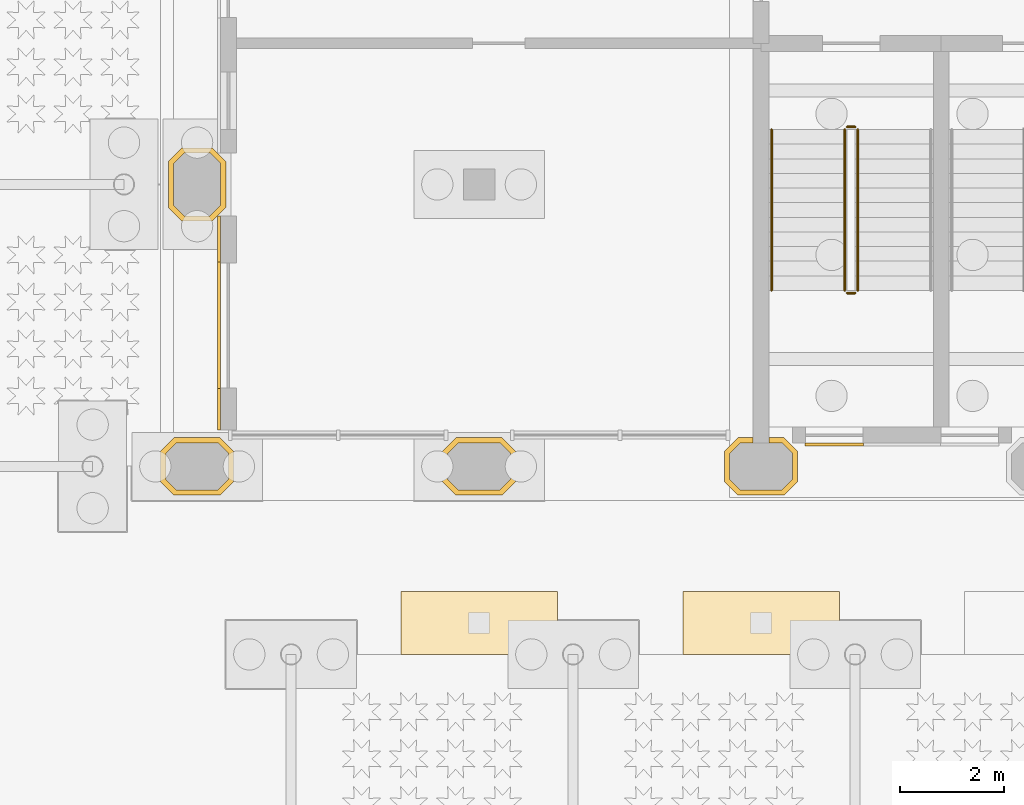
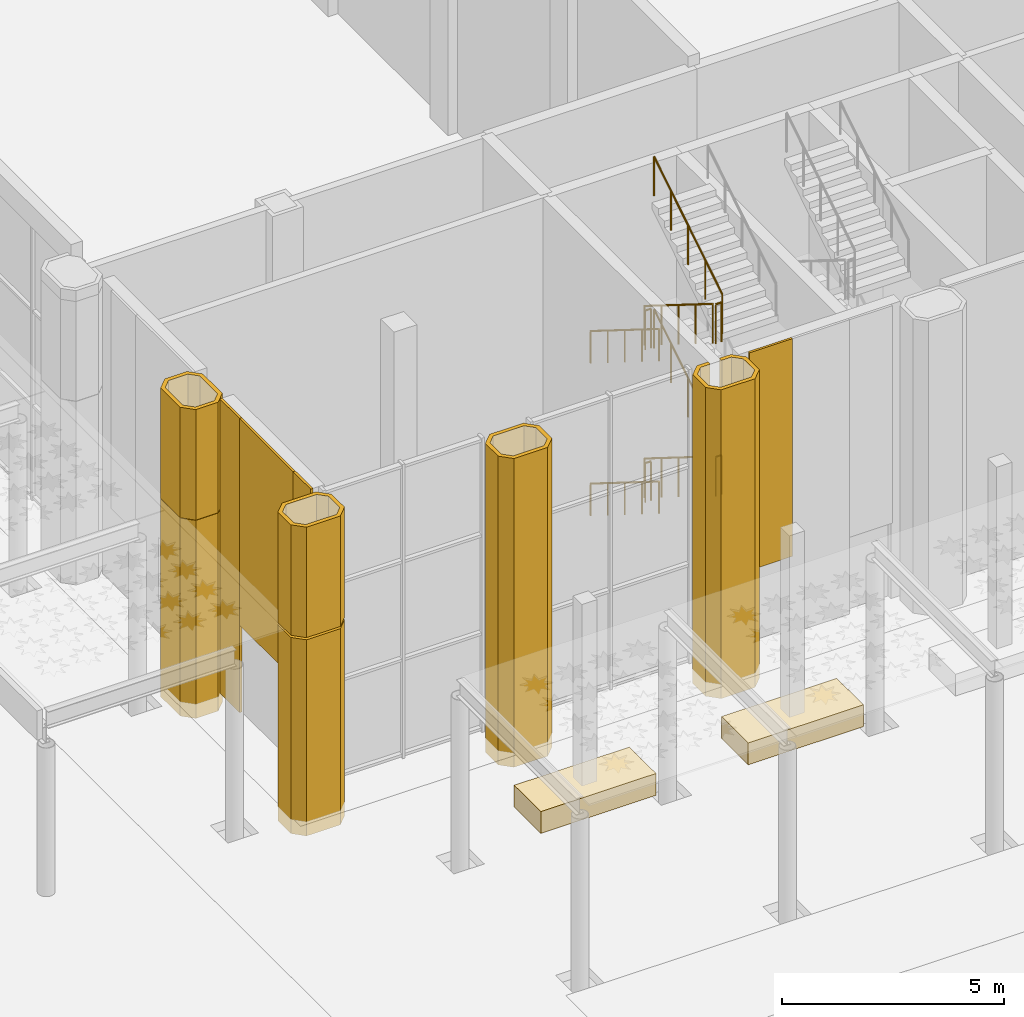
# One storey, part 45 of 54: 12 coverings, 10 railings.
"""IFC4 building model written with IfcOpenShell, lengths in metres."""

from ifc_helpers import new_model, si_unit, direction, frame, frame_2d, origin, origin_2d, place, context, subcontext, project, spatial, polyline, rectangle, circle, outline, extrude, material, layer, layer_set, type_object, element, save


model = new_model("IFC4")

# Units and contexts
model_context = context("Model", 3, precision=1e-05, world=origin(), true_north=direction((0.0, 1.0)))
body_context = subcontext(model_context, "Body", "Model", "MODEL_VIEW")
ifc_project = project(units=[si_unit("LENGTHUNIT", "METRE"), si_unit("AREAUNIT", "SQUARE_METRE"), si_unit("VOLUMEUNIT", "CUBIC_METRE"), si_unit("PLANEANGLEUNIT", "RADIAN"), si_unit("MASSUNIT", "GRAM", prefix="KILO")], contexts=[model_context])

# Site, building, storey
site_placement = place(None, origin())
site = spatial("IfcSite", under=ifc_project, at=site_placement, CompositionType="ELEMENT")
building_placement = place(site_placement, origin())
building = spatial("IfcBuilding", under=site, at=building_placement, Name="Tabaq Tower and Sports Hall", CompositionType="ELEMENT")
storey_placement = place(building_placement, origin())
storey = spatial("IfcBuildingStorey", under=building, at=storey_placement, Name="L00", CompositionType="ELEMENT", Elevation=0.0)

# Coverings
ifc_material_1 = material(Name="Precast concrete C60/75", Category="concrete")
ifc_layer_1 = layer(ifc_material_1, 0.10009765625)
ifc_layer_set_1 = layer_set([ifc_layer_1], Name="Column cladding 100")
covering_type_1 = type_object("IfcCoveringType", Name="Column cladding 100", PredefinedType="CLADDING", material=ifc_layer_set_1)
covering_1_placement = place(storey_placement, frame((0.0, 0.0, -0.39990234375)))
element("IfcCovering", 1, at=covering_1_placement, inside=storey, type_object=covering_type_1, Name="Column cladding L00 HC-13A", PredefinedType="CLADDING", context=body_context, shape_type="SweptSolid", body=[
    extrude(outline(polyline([(64.100341796875, -0.291259765625), (64.100341796875, 0.291259765625), (64.358642578125, 0.5498046875), (65.2412109375, 0.5498046875), (65.499755859375, 0.291259765625), (65.499755859375, -0.291259765625), (65.2412109375, -0.5498046875), (64.358642578125, -0.5498046875), (64.100341796875, -0.291259765625)]), holes=[polyline([(65.2001953125, -0.4501953125), (65.400390625, -0.250244140625), (65.400390625, 0.250244140625), (65.2001953125, 0.4501953125), (64.39990234375, 0.4501953125), (64.19970703125, 0.250244140625), (64.19970703125, -0.250244140625), (64.39990234375, -0.4501953125), (65.2001953125, -0.4501953125)])]), origin(), (0.0, 0.0, 1.0), 5.39990234375),
])
covering_2_placement = place(storey_placement, frame((0.0, 0.0, 5.06005859375)))
element("IfcCovering", 2, at=covering_2_placement, inside=storey, type_object=covering_type_1, Name="Column cladding L00 HC-13A 2", PredefinedType="CLADDING", context=body_context, shape_type="SweptSolid", body=[
    extrude(outline(polyline([(64.100341796875, -0.291259765625), (64.100341796875, 0.291259765625), (64.358642578125, 0.5498046875), (65.2412109375, 0.5498046875), (65.499755859375, 0.291259765625), (65.499755859375, -0.291259765625), (65.2412109375, -0.5498046875), (64.358642578125, -0.5498046875), (64.100341796875, -0.291259765625)]), holes=[polyline([(65.2001953125, -0.4501953125), (65.400390625, -0.250244140625), (65.400390625, 0.250244140625), (65.2001953125, 0.4501953125), (64.39990234375, 0.4501953125), (64.19970703125, 0.250244140625), (64.19970703125, -0.250244140625), (64.39990234375, -0.4501953125), (65.2001953125, -0.4501953125)])]), origin(), (0.0, 0.0, 1.0), 3.0400390625),
])
covering_3_placement = place(storey_placement, frame((0.0, 0.0, -0.39990234375)))
element("IfcCovering", 3, at=covering_3_placement, inside=storey, type_object=covering_type_1, Name="Column cladding L00 HC-13B", PredefinedType="CLADDING", context=body_context, shape_type="SweptSolid", body=[
    extrude(outline(polyline([(65.09130859375, 4.7001953125), (64.5087890625, 4.7001953125), (64.250244140625, 4.958740234375), (64.250244140625, 5.84130859375), (64.5087890625, 6.099609375), (65.09130859375, 6.099609375), (65.349609375, 5.84130859375), (65.349609375, 4.958740234375), (65.09130859375, 4.7001953125)]), holes=[polyline([(65.250244140625, 5.800048828125), (65.050048828125, 6.000244140625), (64.5498046875, 6.000244140625), (64.349609375, 5.800048828125), (64.349609375, 4.999755859375), (64.5498046875, 4.7998046875), (65.050048828125, 4.7998046875), (65.250244140625, 4.999755859375), (65.250244140625, 5.800048828125)])]), origin(), (0.0, 0.0, 1.0), 5.449951171875),
])
covering_4_placement = place(storey_placement, frame((0.0, 0.0, 5.06005859375)))
element("IfcCovering", 4, at=covering_4_placement, inside=storey, type_object=covering_type_1, Name="Column cladding L00 HC-13B 2", PredefinedType="CLADDING", context=body_context, shape_type="SweptSolid", body=[
    extrude(outline(polyline([(65.09130859375, 4.7001953125), (64.5087890625, 4.7001953125), (64.250244140625, 4.958740234375), (64.250244140625, 5.84130859375), (64.5087890625, 6.099609375), (65.09130859375, 6.099609375), (65.349609375, 5.84130859375), (65.349609375, 4.958740234375), (65.09130859375, 4.7001953125)]), holes=[polyline([(65.250244140625, 5.800048828125), (65.050048828125, 6.000244140625), (64.5498046875, 6.000244140625), (64.349609375, 5.800048828125), (64.349609375, 4.999755859375), (64.5498046875, 4.7998046875), (65.050048828125, 4.7998046875), (65.250244140625, 4.999755859375), (65.250244140625, 5.800048828125)])]), origin(), (0.0, 0.0, 1.0), 3.0400390625),
])
covering_5_placement = place(storey_placement, frame((0.0, 0.0, -0.39990234375)))
element("IfcCovering", 5, at=covering_5_placement, inside=storey, type_object=covering_type_1, Name="Column cladding L00 HC-14A", PredefinedType="CLADDING", context=body_context, shape_type="SweptSolid", body=[
    extrude(outline(polyline([(69.500244140625, -0.291259765625), (69.500244140625, 0.291259765625), (69.7587890625, 0.5498046875), (70.641357421875, 0.5498046875), (70.899658203125, 0.291259765625), (70.899658203125, -0.291259765625), (70.641357421875, -0.5498046875), (69.7587890625, -0.5498046875), (69.500244140625, -0.291259765625)]), holes=[polyline([(70.60009765625, -0.4501953125), (70.80029296875, -0.250244140625), (70.80029296875, 0.250244140625), (70.60009765625, 0.4501953125), (69.7998046875, 0.4501953125), (69.599609375, 0.250244140625), (69.599609375, -0.250244140625), (69.7998046875, -0.4501953125), (70.60009765625, -0.4501953125)])]), origin(), (0.0, 0.0, 1.0), 8.5),
])
covering_6_placement = place(storey_placement, frame((0.0, 0.0, -0.39990234375)))
element("IfcCovering", 6, at=covering_6_placement, inside=storey, type_object=covering_type_1, Name="Column cladding L00 HC-15A", PredefinedType="CLADDING", context=body_context, shape_type="SweptSolid", body=[
    extrude(outline(polyline([(74.900390625, 0.291259765625), (75.15869140625, 0.5498046875), (75.44970703125, 0.5498046875), (75.44970703125, 0.4501953125), (75.199951171875, 0.4501953125), (74.999755859375, 0.250244140625), (74.999755859375, -0.250244140625), (75.199951171875, -0.4501953125), (76.000244140625, -0.4501953125), (76.2001953125, -0.250244140625), (76.2001953125, 0.250244140625), (76.000244140625, 0.4501953125), (75.750244140625, 0.4501953125), (75.750244140625, 0.5498046875), (76.041259765625, 0.5498046875), (76.2998046875, 0.291259765625), (76.2998046875, -0.291259765625), (76.041259765625, -0.5498046875), (75.15869140625, -0.5498046875), (74.900390625, -0.291259765625), (74.900390625, 0.291259765625)])), origin(), (0.0, 0.0, 1.0), 8.5),
])

# Railings
ifc_material_2 = material(Name="Stainless steel and glass balustrade", Category="steel")
railing_type_1 = type_object("IfcRailingType", Name="HALL GUARD 1100", PredefinedType="GUARDRAIL", material=ifc_material_2)
railing_1_placement = place(storey_placement, frame((77.199951171875, 6.449951171875, 0.175048828125)))
element("IfcRailing", 7, at=railing_1_placement, inside=storey, type_object=railing_type_1, Name="L00 ST-H1 stair guard 1", PredefinedType="GUARDRAIL", context=body_context, shape_type="SweptSolid", body=[
    extrude(circle(Radius=0.02392578125, at=origin_2d()), frame((0.0, 0.0, 1.076171875), z_axis=(0.0, -0.847979421464, 0.530029150871), x_axis=(1.0, 0.0, 0.0)), (0.0, 0.0, 1.0), 3.632080078125),
    extrude(circle(Radius=0.02099609375, at=origin_2d()), origin(), (0.0, 0.0, 1.0), 1.052001953125),
    extrude(circle(Radius=0.02099609375, at=origin_2d()), frame((0.0, -0.77001953125, 0.481201171875)), (0.0, 0.0, 1.0), 1.052001953125),
    extrude(circle(Radius=0.02099609375, at=origin_2d()), frame((0.0, -1.5400390625, 0.96240234375)), (0.0, 0.0, 1.0), 1.052001953125),
    extrude(circle(Radius=0.02099609375, at=origin_2d()), frame((0.0, -2.309814453125, 1.44384765625)), (0.0, 0.0, 1.0), 1.052001953125),
    extrude(circle(Radius=0.02099609375, at=origin_2d()), frame((0.0, -3.079833984375, 1.925048828125)), (0.0, 0.0, 1.0), 1.052001953125),
])
railing_2_placement = place(storey_placement, frame((77.25, 3.320068359375, 2.10009765625)))
element("IfcRailing", 8, at=railing_2_placement, inside=storey, type_object=railing_type_1, Name="L00 ST-H1 stair guard 2", PredefinedType="GUARDRAIL", context=body_context, shape_type="SweptSolid", body=[
    extrude(circle(Radius=0.02392578125, at=origin_2d()), frame((0.0, 0.0, 1.076171875), z_axis=(1.0, 0.0, 0.0), x_axis=(0.0, 1.0, 0.0)), (0.0, 0.0, 1.0), 0.14990234375),
    extrude(circle(Radius=0.02099609375, at=origin_2d()), origin(), (0.0, 0.0, 1.0), 1.052001953125),
    extrude(circle(Radius=0.02099609375, at=origin_2d()), frame((0.14990234375, 0.0, 0.0)), (0.0, 0.0, 1.0), 1.052001953125),
])
railing_3_placement = place(storey_placement, frame((77.449951171875, 3.3701171875, 2.27490234375)))
element("IfcRailing", 9, at=railing_3_placement, inside=storey, type_object=railing_type_1, Name="L00 ST-H1 stair guard 3", PredefinedType="GUARDRAIL", context=body_context, shape_type="SweptSolid", body=[
    extrude(circle(Radius=0.02392578125, at=origin_2d()), frame((0.0, 0.0, 1.076171875), z_axis=(0.0, 0.847979421464, 0.530029150871), x_axis=(-1.0, 0.0, 0.0)), (0.0, 0.0, 1.0), 3.632080078125),
    extrude(circle(Radius=0.02099609375, at=origin_2d()), origin(), (0.0, 0.0, 1.0), 1.052001953125),
    extrude(circle(Radius=0.02099609375, at=origin_2d()), frame((0.0, 0.77001953125, 0.481201171875)), (0.0, 0.0, 1.0), 1.052001953125),
    extrude(circle(Radius=0.02099609375, at=origin_2d()), frame((0.0, 1.5400390625, 0.96240234375)), (0.0, 0.0, 1.0), 1.052001953125),
    extrude(circle(Radius=0.02099609375, at=origin_2d()), frame((0.0, 2.309814453125, 1.44384765625)), (0.0, 0.0, 1.0), 1.052001953125),
    extrude(circle(Radius=0.02099609375, at=origin_2d()), frame((0.0, 3.079833984375, 1.925048828125)), (0.0, 0.0, 1.0), 1.052001953125),
])
railing_4_placement = place(storey_placement, frame((77.25, 6.5, 4.199951171875)))
element("IfcRailing", 10, at=railing_4_placement, inside=storey, type_object=railing_type_1, Name="L00 ST-H1 stair guard 4", PredefinedType="GUARDRAIL", context=body_context, shape_type="SweptSolid", body=[
    extrude(circle(Radius=0.02392578125, at=origin_2d()), frame((0.0, 0.0, 1.076171875), z_axis=(1.0, 0.0, 0.0), x_axis=(0.0, 1.0, 0.0)), (0.0, 0.0, 1.0), 0.14990234375),
    extrude(circle(Radius=0.02099609375, at=origin_2d()), origin(), (0.0, 0.0, 1.0), 1.052001953125),
    extrude(circle(Radius=0.02099609375, at=origin_2d()), frame((0.14990234375, 0.0, 0.0)), (0.0, 0.0, 1.0), 1.052001953125),
])
railing_5_placement = place(storey_placement, frame((77.199951171875, 6.449951171875, 4.375)))
element("IfcRailing", 11, at=railing_5_placement, inside=storey, type_object=railing_type_1, Name="L00 ST-H1 stair guard 5", PredefinedType="GUARDRAIL", context=body_context, shape_type="SweptSolid", body=[
    extrude(circle(Radius=0.02392578125, at=origin_2d()), frame((0.0, 0.0, 1.076171875), z_axis=(0.0, -0.847979421464, 0.530029150871), x_axis=(1.0, 0.0, 0.0)), (0.0, 0.0, 1.0), 3.632080078125),
    extrude(circle(Radius=0.02099609375, at=origin_2d()), origin(), (0.0, 0.0, 1.0), 1.052001953125),
    extrude(circle(Radius=0.02099609375, at=origin_2d()), frame((0.0, -0.77001953125, 0.481201171875)), (0.0, 0.0, 1.0), 1.052001953125),
    extrude(circle(Radius=0.02099609375, at=origin_2d()), frame((0.0, -1.5400390625, 0.96240234375)), (0.0, 0.0, 1.0), 1.052001953125),
    extrude(circle(Radius=0.02099609375, at=origin_2d()), frame((0.0, -2.309814453125, 1.44384765625)), (0.0, 0.0, 1.0), 1.052001953125),
    extrude(circle(Radius=0.02099609375, at=origin_2d()), frame((0.0, -3.079833984375, 1.925048828125)), (0.0, 0.0, 1.0), 1.052001953125),
])
railing_6_placement = place(storey_placement, frame((77.25, 3.320068359375, 6.300048828125)))
element("IfcRailing", 12, at=railing_6_placement, inside=storey, type_object=railing_type_1, Name="L00 ST-H1 stair guard 6", PredefinedType="GUARDRAIL", context=body_context, shape_type="SweptSolid", body=[
    extrude(circle(Radius=0.02392578125, at=origin_2d()), frame((0.0, 0.0, 1.076171875), z_axis=(1.0, 0.0, 0.0), x_axis=(0.0, 1.0, 0.0)), (0.0, 0.0, 1.0), 0.14990234375),
    extrude(circle(Radius=0.02099609375, at=origin_2d()), origin(), (0.0, 0.0, 1.0), 1.052001953125),
    extrude(circle(Radius=0.02099609375, at=origin_2d()), frame((0.14990234375, 0.0, 0.0)), (0.0, 0.0, 1.0), 1.052001953125),
])
railing_7_placement = place(storey_placement, frame((77.449951171875, 3.3701171875, 6.47509765625)))
element("IfcRailing", 13, at=railing_7_placement, inside=storey, type_object=railing_type_1, Name="L00 ST-H1 stair guard 7", PredefinedType="GUARDRAIL", context=body_context, shape_type="SweptSolid", body=[
    extrude(circle(Radius=0.02392578125, at=origin_2d()), frame((0.0, 0.0, 1.076171875), z_axis=(0.0, 0.848009633417, 0.529980812513), x_axis=(-1.0, 0.0, 0.0)), (0.0, 0.0, 1.0), 3.6318359375),
    extrude(circle(Radius=0.02099609375, at=origin_2d()), origin(), (0.0, 0.0, 1.0), 1.052001953125),
    extrude(circle(Radius=0.02099609375, at=origin_2d()), frame((0.0, 0.77001953125, 0.481201171875)), (0.0, 0.0, 1.0), 1.052001953125),
    extrude(circle(Radius=0.02099609375, at=origin_2d()), frame((0.0, 1.5400390625, 0.96240234375)), (0.0, 0.0, 1.0), 1.052001953125),
    extrude(circle(Radius=0.02099609375, at=origin_2d()), frame((0.0, 2.309814453125, 1.443603515625)), (0.0, 0.0, 1.0), 1.052001953125),
    extrude(circle(Radius=0.02099609375, at=origin_2d()), frame((0.0, 3.079833984375, 1.9248046875)), (0.0, 0.0, 1.0), 1.052001953125),
])
railing_8_placement = place(storey_placement, frame((77.25, 6.5, 0.0)))
element("IfcRailing", 14, at=railing_8_placement, inside=storey, type_object=railing_type_1, Name="L00 ST-H1 stair guard 8", PredefinedType="GUARDRAIL", context=body_context, shape_type="SweptSolid", body=[
    extrude(circle(Radius=0.02392578125, at=origin_2d()), frame((0.0, 0.0, 1.076171875), z_axis=(1.0, 0.0, 0.0), x_axis=(0.0, 1.0, 0.0)), (0.0, 0.0, 1.0), 0.14990234375),
    extrude(circle(Radius=0.02099609375, at=origin_2d()), origin(), (0.0, 0.0, 1.0), 1.052001953125),
    extrude(circle(Radius=0.02099609375, at=origin_2d()), frame((0.14990234375, 0.0, 0.0)), (0.0, 0.0, 1.0), 1.052001953125),
])
ifc_material_3 = material(Name="Stainless steel handrail", Category="steel")
railing_type_2 = type_object("IfcRailingType", Name="HALL HANDRAIL 900", PredefinedType="HANDRAIL", material=ifc_material_3)
for number, where, name in (
    (15, (75.800048828125, 6.449951171875, 0.175048828125), "L00 ST-H1 stair handrail 1"),
    (16, (75.800048828125, 6.449951171875, 4.375), "L00 ST-H1 stair handrail 3"),
):
    element("IfcRailing", number, at=place(storey_placement, frame(where)), inside=storey, type_object=railing_type_2, Name=name, PredefinedType="HANDRAIL", context=body_context, shape_type="SweptSolid", body=[
        extrude(circle(Radius=0.02392578125, at=origin_2d()), frame((0.0, 0.0, 0.8759765625), z_axis=(0.0, -0.847979421464, 0.530029150871), x_axis=(1.0, 0.0, 0.0)), (0.0, 0.0, 1.0), 3.632080078125),
        extrude(circle(Radius=0.02099609375, at=origin_2d()), origin(), (0.0, 0.0, 1.0), 0.851806640625),
        extrude(circle(Radius=0.02099609375, at=origin_2d()), frame((0.0, -0.77001953125, 0.481201171875)), (0.0, 0.0, 1.0), 0.851806640625),
        extrude(circle(Radius=0.02099609375, at=origin_2d()), frame((0.0, -1.5400390625, 0.96240234375)), (0.0, 0.0, 1.0), 0.851806640625),
        extrude(circle(Radius=0.02099609375, at=origin_2d()), frame((0.0, -2.309814453125, 1.44384765625)), (0.0, 0.0, 1.0), 0.851806640625),
        extrude(circle(Radius=0.02099609375, at=origin_2d()), frame((0.0, -3.079833984375, 1.925048828125)), (0.0, 0.0, 1.0), 0.851806640625),
    ])

# Coverings
ifc_material_4 = material(Name="Precast concrete C35/45 planter with planting soil", Category="concrete")
covering_type_2 = type_object("IfcCoveringType", Name="PLAZA PLANTER 3000x1200x600", PredefinedType="USERDEFINED", material=ifc_material_4)
for number, where, z_axis, x_axis, name in (
    (17, (70.199951171875, -3.0, 0.0), (0.0, 0.0, 1.0), (1.0, 0.0, 0.0), "Planter 01"),
    (18, (75.60009765625, -3.0, 0.0), (0.0, 0.0, 1.0), (1.0, 0.0, 0.0), "Planter 02"),
):
    element("IfcCovering", number, at=place(storey_placement, frame(where, z_axis=z_axis, x_axis=x_axis)), inside=storey, type_object=covering_type_2, Name=name, ObjectType="PLANTER", PredefinedType="USERDEFINED", context=body_context, shape_type="SweptSolid", body=[
        extrude(rectangle(XDim=3.0, YDim=1.199951171875, at=origin_2d()), origin(), (0.0, 0.0, 1.0), 0.60009765625),
    ])
ifc_material_5 = material(Name="Precast concrete C60/75", Category="concrete")
ifc_layer_2 = layer(ifc_material_5, 0.06005859375)
ifc_layer_set_2 = layer_set([ifc_layer_2], Name="White precast cladding panel 60 C60/75")
covering_type_3 = type_object("IfcCoveringType", Name="White precast cladding panel 60 C60/75", PredefinedType="CLADDING", material=ifc_layer_set_2)
covering_7_placement = place(storey_placement, frame((76.43994140625, 0.419921875, 2.110107421875), z_axis=(0.0, 0.0, 1.0), x_axis=(1.0, 0.0, 0.0)))
element("IfcCovering", 19, at=covering_7_placement, inside=storey, type_object=covering_type_3, Name="White precast cladding panel L00 L00", PredefinedType="CLADDING", context=body_context, shape_type="SweptSolid", body=[
    extrude(rectangle(XDim=1.1201171875, YDim=0.06005859375, at=frame_2d((0.56005859375, 0.0))), origin(), (0.0, 0.0, 1.0), 5.989990234375),
])
covering_8_placement = place(storey_placement, frame((65.219970703125, 0.699951171875, 0.0), z_axis=(0.0, 0.0, 1.0), x_axis=(0.0, 1.0, 0.0)))
element("IfcCovering", 20, at=covering_8_placement, inside=storey, type_object=covering_type_3, Name="White precast cladding panel L00 L00", PredefinedType="CLADDING", context=body_context, shape_type="SweptSolid", body=[
    extrude(rectangle(XDim=0.7900390625, YDim=0.06005859375, at=frame_2d((0.39501953125, 0.0))), origin(), (0.0, 0.0, 1.0), 8.10009765625),
])
covering_9_placement = place(storey_placement, frame((65.219970703125, 1.489990234375, 2.409912109375), z_axis=(0.0, 0.0, 1.0), x_axis=(0.0, 1.0, 0.0)))
element("IfcCovering", 21, at=covering_9_placement, inside=storey, type_object=covering_type_3, Name="White precast cladding panel L00 L00 2", PredefinedType="CLADDING", context=body_context, shape_type="SweptSolid", body=[
    extrude(rectangle(XDim=2.419921875, YDim=0.06005859375, at=frame_2d((1.2099609375, 0.0))), origin(), (0.0, 0.0, 1.0), 5.690185546875),
])
covering_10_placement = place(storey_placement, frame((65.219970703125, 3.909912109375, 0.0), z_axis=(0.0, 0.0, 1.0), x_axis=(0.0, 1.0, 0.0)))
element("IfcCovering", 22, at=covering_10_placement, inside=storey, type_object=covering_type_3, Name="White precast cladding panel L00 L00 3", PredefinedType="CLADDING", context=body_context, shape_type="SweptSolid", body=[
    extrude(rectangle(XDim=0.89013671875, YDim=0.06005859375, at=frame_2d((0.445068359375, 0.0))), origin(), (0.0, 0.0, 1.0), 8.10009765625),
])

save(model, "model.ifc")
